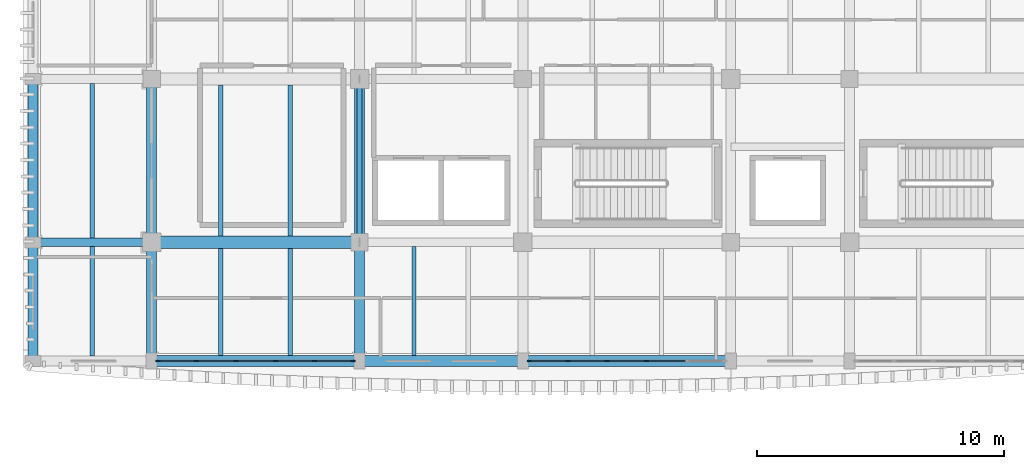
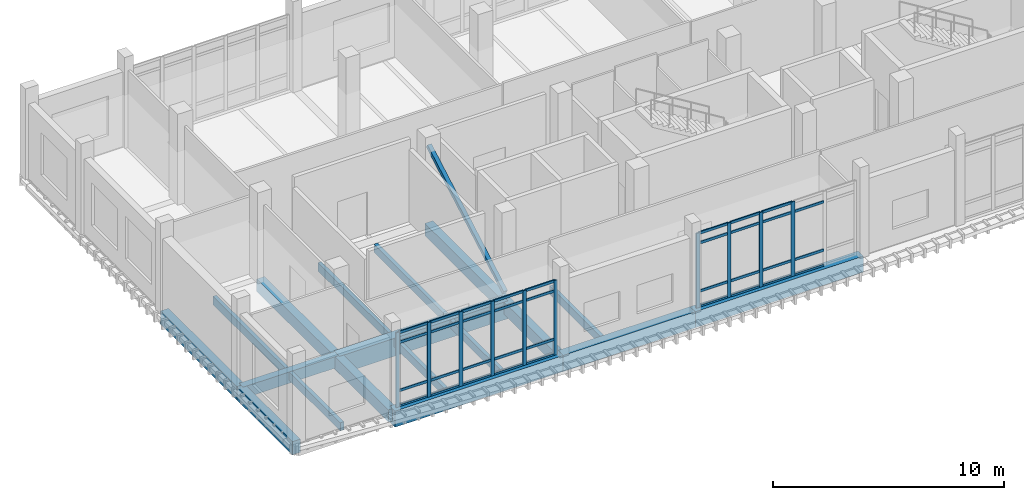
# One storey, part 2 of 37: 46 members, 18 beams, 2 elements without a shape of their own.
"""IFC4 building model written with IfcOpenShell, lengths in metres."""

import ifcopenshell
import ifcopenshell.guid

model = None  # the IFC model being written
_history = None  # IfcOwnerHistory: only IFC2X3 demands one
_inside = {}  # id of a spatial element -> (the spatial element, [elements in it])
_under = {}  # id of a project, library or spatial element -> (it, [spatial elements below it])
_declared = {}  # id of a project -> (the project, [libraries it declares])
_typed = {}  # id of a type object -> (the type object, [elements of that type])
_made_of = {}  # id of a material, layer set ... -> (it, [elements and type objects made of it])


def new_model(schema):
    """Start an empty IFC model of exactly this schema.

    Asked for "IFC4X3", IfcOpenShell would pick the latest addendum, in which some entities
    have other attributes; the version numbers below select the first issue.
    IFC2X3 requires an IfcOwnerHistory on every rooted entity: one is made here for all.
    """
    global model, _history
    if schema == "IFC4X3":
        model = ifcopenshell.file(schema_version=(4, 3, 0, 0))
    else:
        model = ifcopenshell.file(schema=schema)
    _inside.clear()
    _under.clear()
    _declared.clear()
    _typed.clear()
    _made_of.clear()
    _history = None
    if model.schema == "IFC2X3":
        org = make("IfcOrganization", Name="unknown")
        user = make(
            "IfcPersonAndOrganization",
            ThePerson=make("IfcPerson", FamilyName="unknown"),
            TheOrganization=org,
        )
        app = make(
            "IfcApplication",
            ApplicationDeveloper=org,
            Version="unknown",
            ApplicationFullName="unknown",
            ApplicationIdentifier="unknown",
        )
        _history = make(
            "IfcOwnerHistory",
            OwningUser=user,
            OwningApplication=app,
            ChangeAction="ADDED",
            CreationDate=0,
        )
    return model


def make(cls, **values):
    """One entity of the class cls with the attributes given. An attribute that is None is left unset."""
    return model.create_entity(
        cls, **{name: value for name, value in values.items() if value is not None}
    )


def rooted(cls, **values):
    """An entity with a GlobalId (a new one), such as an element, a storey or a relation."""
    return make(cls, GlobalId=ifcopenshell.guid.new(), OwnerHistory=_history, **values)


def si_unit(unit_type, name, prefix=None):
    """IfcSIUnit, for example si_unit("LENGTHUNIT", "METRE", prefix="MILLI")."""
    return make("IfcSIUnit", UnitType=unit_type, Prefix=prefix, Name=name)


def assignment(units):
    """IfcUnitAssignment: the units of a project."""
    return None if units is None else make("IfcUnitAssignment", Units=units)


def point(xyz):
    """IfcCartesianPoint."""
    return None if xyz is None else make("IfcCartesianPoint", Coordinates=xyz)


def direction(xyz):
    """IfcDirection."""
    return None if xyz is None else make("IfcDirection", DirectionRatios=xyz)


def frame(location, z_axis=None, x_axis=None):
    """IfcAxis2Placement3D, a coordinate frame: its origin and axes. An axis left out is left unset."""
    return make(
        "IfcAxis2Placement3D",
        Location=point(location),
        Axis=direction(z_axis),
        RefDirection=direction(x_axis),
    )


def frame_2d(location, x_axis=None):
    """IfcAxis2Placement2D, a coordinate frame in the plane: its origin and x axis."""
    return make(
        "IfcAxis2Placement2D", Location=point(location), RefDirection=direction(x_axis)
    )


def origin():
    """The frame at (0, 0, 0) with its axes left unset."""
    return frame((0.0, 0.0, 0.0))


def origin_2d():
    """The frame at (0, 0) in the plane with its x axis left unset."""
    return frame_2d((0.0, 0.0))


def place(relative_to, where):
    """IfcLocalPlacement: puts the frame where relative to a parent placement (None: the world)."""
    return make(
        "IfcLocalPlacement", PlacementRelTo=relative_to, RelativePlacement=where
    )


def context(
    kind, dimensions, precision=None, world=None, true_north=None, identifier=None
):
    """IfcGeometricRepresentationContext, for example the 3D "Model" context."""
    return make(
        "IfcGeometricRepresentationContext",
        ContextIdentifier=identifier,
        ContextType=kind,
        CoordinateSpaceDimension=dimensions,
        Precision=precision,
        WorldCoordinateSystem=world,
        TrueNorth=true_north,
    )


def subcontext(parent, identifier, kind, view, scale=None):
    """IfcGeometricRepresentationSubContext, for example "Body" below "Model"."""
    return make(
        "IfcGeometricRepresentationSubContext",
        ContextIdentifier=identifier,
        ContextType=kind,
        ParentContext=parent,
        TargetScale=scale,
        TargetView=view,
    )


def project(units=None, contexts=None):
    """IfcProject with its units and contexts."""
    return rooted(
        "IfcProject",
        Name="project",
        RepresentationContexts=contexts,
        UnitsInContext=assignment(units),
    )


def spatial(cls, under=None, at=None, **own):
    """A site, building, storey or space (cls), placed at a placement, below another one or the project."""
    s = rooted(cls, ObjectPlacement=at, **own)
    if under is not None:
        _under.setdefault(under.id(), (under, []))[1].append(s)
    return s


def profile(cls, at=None, kind="AREA", **sizes):
    """A parametric profile (cls). Its sizes go by their IFC names, for example OverallWidth=200.0."""
    return make(cls, ProfileType=kind, Position=at, **sizes)


def rectangle(**sizes):
    """IfcRectangleProfileDef."""
    return profile("IfcRectangleProfileDef", **sizes)


def hollow_rectangle(**sizes):
    """IfcRectangleHollowProfileDef."""
    return profile("IfcRectangleHollowProfileDef", **sizes)


def extrude(swept, where, along, depth):
    """IfcExtrudedAreaSolid: the profile swept, set in the frame where, extruded along a direction by depth."""
    return make(
        "IfcExtrudedAreaSolid",
        SweptArea=swept,
        Position=where,
        ExtrudedDirection=direction(along),
        Depth=depth,
    )


def shape(context_of_items, identifier, shape_type, items):
    """IfcShapeRepresentation: the items that make up one representation, for example the "Body"."""
    return make(
        "IfcShapeRepresentation",
        ContextOfItems=context_of_items,
        RepresentationIdentifier=identifier,
        RepresentationType=shape_type,
        Items=items,
    )


def material(Name=None, Category=None):
    """IfcMaterial."""
    return make("IfcMaterial", Name=Name, Category=Category)


def material_profile(
    of_material, cross_section, Name=None, Category=None, Priority=None
):
    """IfcMaterialProfile: a cross section and its material."""
    return make(
        "IfcMaterialProfile",
        Name=Name,
        Material=of_material,
        Profile=cross_section,
        Priority=Priority,
        Category=Category,
    )


def profile_set(profiles, Name=None, composite=None):
    """IfcMaterialProfileSet."""
    return make(
        "IfcMaterialProfileSet",
        Name=Name,
        MaterialProfiles=profiles,
        CompositeProfile=composite,
    )


def made_of(thing, what):
    """Note that an element or type object is made of a material, layer set ...; save() writes the relation."""
    if what is not None:
        _made_of.setdefault(what.id(), (what, []))[1].append(thing)
    return thing


def type_object(cls, material=None, **own):
    """A type object (cls), such as IfcWallType, which elements share."""
    return made_of(rooted(cls, **own), material)


def element(
    cls,
    number,
    at=None,
    inside=None,
    cuts=None,
    type_object=None,
    material=None,
    context=None,
    identifier="Body",
    shape_type=None,
    held_by="IfcProductDefinitionShape",
    body=None,
    shapes=None,
    **own,
):
    """One element of the class cls, such as IfcWall. Its Tag is "e" and its number.

    at: its placement. inside: the storey or other place that contains it. cuts: it is an
    opening in that element (IfcRelVoidsElement). A single representation is given by context,
    identifier, shape_type and body (its items); several are given by shapes. held_by: the class
    of the entity that holds the representations. save() writes the other relations.
    """
    e = rooted(cls, Tag="e%d" % number, ObjectPlacement=at, **own)
    if body is not None:
        shapes = [shape(context, identifier, shape_type, body)]
    if shapes is not None:
        e.Representation = make(held_by, Representations=shapes)
    if inside is not None:
        _inside.setdefault(inside.id(), (inside, []))[1].append(e)
    if cuts is not None:
        rooted(
            "IfcRelVoidsElement", RelatingBuildingElement=cuts, RelatedOpeningElement=e
        )
    if type_object is not None:
        _typed.setdefault(type_object.id(), (type_object, []))[1].append(e)
    return made_of(e, material)


def aggregate(whole, parts):
    """IfcRelAggregates: a whole, such as a stair, and the parts it consists of."""
    return rooted("IfcRelAggregates", RelatingObject=whole, RelatedObjects=parts)


def save(model, path):
    """Write the relations noted so far, then the file.

    IfcRelAggregates (storeys below a building ...), IfcRelContainedInSpatialStructure (elements
    in a storey), IfcRelDefinesByType, IfcRelAssociatesMaterial and IfcRelDeclares: one each for
    every whole, place, type object, material and project.
    """
    for whole, parts in _under.values():
        aggregate(whole, parts)
    for where, things in _inside.values():
        rooted(
            "IfcRelContainedInSpatialStructure",
            RelatedElements=things,
            RelatingStructure=where,
        )
    for kind, things in _typed.values():
        rooted("IfcRelDefinesByType", RelatedObjects=things, RelatingType=kind)
    for what, things in _made_of.values():
        rooted("IfcRelAssociatesMaterial", RelatedObjects=things, RelatingMaterial=what)
    for by, libraries in _declared.values():
        rooted("IfcRelDeclares", RelatingContext=by, RelatedDefinitions=libraries)
    model.write(path)


model = new_model("IFC4")

# Units and contexts
model_context = context("Model", 3, precision=1e-05, world=origin(), true_north=direction((0.0, 1.0)))
body_context = subcontext(model_context, "Body", "Model", "MODEL_VIEW")
ifc_project = project(units=[si_unit("LENGTHUNIT", "METRE"), si_unit("AREAUNIT", "SQUARE_METRE"), si_unit("VOLUMEUNIT", "CUBIC_METRE"), si_unit("PLANEANGLEUNIT", "RADIAN"), si_unit("MASSUNIT", "GRAM", prefix="KILO")], contexts=[model_context])

# Site, building, storey
site_placement = place(None, origin())
site = spatial("IfcSite", under=ifc_project, at=site_placement, CompositionType="ELEMENT")
building_placement = place(site_placement, origin())
building = spatial("IfcBuilding", under=site, at=building_placement, Name="Dornvale Research Institute", CompositionType="ELEMENT")
storey_placement = place(building_placement, frame((0.0, 0.0, 29.39990234375)))
storey = spatial("IfcBuildingStorey", under=building, at=storey_placement, Name="L06", CompositionType="ELEMENT", Elevation=29.39990234375)

# Beams
ifc_material_1 = material(Name="Concrete f'c 45 MPa (C35/45)", Category="concrete")
ifc_material_profile_1 = material_profile(ifc_material_1, rectangle(XDim=0.35009765625, YDim=0.60009765625, at=origin_2d()), Name="RC 350x600")
ifc_profile_set_1 = profile_set([ifc_material_profile_1], Name="Concrete f'c 45 MPa (C35/45)")
beam_type_1 = type_object("IfcBeamType", Name="Beam_RC350x600_Floor", PredefinedType="BEAM", material=ifc_profile_set_1)
beam_1_placement = place(storey_placement, frame((0.0, 103.800048828125, -0.2998046875), z_axis=(1.0, 0.0, 0.0), x_axis=(0.0, 1.0, 0.0)))
element("IfcBeam", 1, at=beam_1_placement, inside=storey, type_object=beam_type_1, Name="L06 primary girder #1446", PredefinedType="BEAM", context=body_context, shape_type="SweptSolid", body=[
    extrude(rectangle(XDim=0.35009765625, YDim=0.60009765625, at=origin_2d()), origin(), (0.0, 0.0, 1.0), 4.800048828125),
])
ifc_material_2 = material(Name="Concrete f'c 45 MPa (C35/45)", Category="concrete")
ifc_material_profile_2 = material_profile(ifc_material_2, rectangle(XDim=0.39990234375, YDim=0.64990234375, at=origin_2d()), Name="RC 400x650")
ifc_profile_set_2 = profile_set([ifc_material_profile_2], Name="Concrete f'c 45 MPa (C35/45)")
beam_type_2 = type_object("IfcBeamType", Name="Beam_RC400x650_Floor", PredefinedType="BEAM", material=ifc_profile_set_2)
beam_2_placement = place(storey_placement, frame((4.800048828125, 99.0, -0.324951171875), z_axis=(0.0, 1.0, 0.0), x_axis=(-1.0, 0.0, 0.0)))
element("IfcBeam", 2, at=beam_2_placement, inside=storey, type_object=beam_type_2, Name="L06 transverse girder #1474", PredefinedType="BEAM", context=body_context, shape_type="SweptSolid", body=[
    extrude(rectangle(XDim=0.39990234375, YDim=0.64990234375, at=origin_2d()), origin(), (0.0, 0.0, 1.0), 4.800048828125),
])
beam_3_placement = place(storey_placement, frame((4.800048828125, 103.800048828125, -0.324951171875), z_axis=(0.0, 1.0, 0.0), x_axis=(-1.0, 0.0, 0.0)))
element("IfcBeam", 3, at=beam_3_placement, inside=storey, type_object=beam_type_2, Name="L06 transverse girder #1475", PredefinedType="BEAM", context=body_context, shape_type="SweptSolid", body=[
    extrude(rectangle(XDim=0.39990234375, YDim=0.64990234375, at=origin_2d()), origin(), (0.0, 0.0, 1.0), 6.599853515625),
])
beam_4_placement = place(storey_placement, frame((13.199951171875, 99.0, -0.324951171875), z_axis=(0.0, 1.0, 0.0), x_axis=(-1.0, 0.0, 0.0)))
element("IfcBeam", 4, at=beam_4_placement, inside=storey, type_object=beam_type_2, Name="L06 transverse girder #1478", PredefinedType="BEAM", context=body_context, shape_type="SweptSolid", body=[
    extrude(rectangle(XDim=0.39990234375, YDim=0.64990234375, at=origin_2d()), origin(), (0.0, 0.0, 1.0), 4.800048828125),
])
beam_5_placement = place(storey_placement, frame((13.199951171875, 103.800048828125, -0.324951171875), z_axis=(0.0, 1.0, 0.0), x_axis=(-1.0, 0.0, 0.0)))
element("IfcBeam", 5, at=beam_5_placement, inside=storey, type_object=beam_type_2, Name="L06 transverse girder #1479", PredefinedType="BEAM", context=body_context, shape_type="SweptSolid", body=[
    extrude(rectangle(XDim=0.39990234375, YDim=0.64990234375, at=origin_2d()), origin(), (0.0, 0.0, 1.0), 6.599853515625),
])
ifc_material_3 = material(Name="Concrete f'c 45 MPa (C35/45)", Category="concrete")
ifc_material_profile_3 = material_profile(ifc_material_3, rectangle(XDim=0.5, YDim=0.949951171875, at=origin_2d()), Name="RC 500x950")
ifc_profile_set_3 = profile_set([ifc_material_profile_3], Name="Concrete f'c 45 MPa (C35/45)")
beam_type_3 = type_object("IfcBeamType", Name="Beam_RC500x950_Girder", PredefinedType="BEAM", material=ifc_profile_set_3)
beam_6_placement = place(storey_placement, frame((4.800048828125, 103.800048828125, -0.474853515625), z_axis=(1.0, 0.0, 0.0), x_axis=(0.0, 1.0, 0.0)))
element("IfcBeam", 6, at=beam_6_placement, inside=storey, type_object=beam_type_3, Name="L06 primary girder #1447", PredefinedType="BEAM", context=body_context, shape_type="SweptSolid", body=[
    extrude(rectangle(XDim=0.5, YDim=0.949951171875, at=origin_2d()), origin(), (0.0, 0.0, 1.0), 8.39990234375),
])

# Member
ifc_material_4 = material(Name="Steel ASTM A500 Grade C", Category="steel")
ifc_material_profile_4 = material_profile(ifc_material_4, hollow_rectangle(XDim=0.202880859375, YDim=0.202880859375, WallThickness=0.0087890625, at=origin_2d()), Name="HSS203X203X9.5")
ifc_profile_set_4 = profile_set([ifc_material_profile_4], Name="Steel ASTM A500 Grade C")
member_type_1 = type_object("IfcMemberType", Name="Brace_HSS203X203_Int", PredefinedType="BRACE", material=ifc_profile_set_4)
member_1_placement = place(storey_placement, frame((13.199951171875, 103.800048828125, 0.300048828125), z_axis=(0.0, 0.869451847873, 0.494017696272), x_axis=(-1.0, 0.0, 0.0)))
element("IfcMember", 7, at=member_1_placement, inside=storey, type_object=member_type_1, Name="L06 seismic diagonal brace #43", PredefinedType="BRACE", context=body_context, shape_type="SweptSolid", body=[
    extrude(hollow_rectangle(XDim=0.202880859375, YDim=0.202880859375, WallThickness=0.0087890625, at=origin_2d()), origin(), (0.0, 0.0, 1.0), 7.5908203125),
])

# Beams
ifc_material_5 = material(Name="Concrete f'c 45 MPa (C35/45)", Category="concrete")
ifc_material_profile_5 = material_profile(ifc_material_5, rectangle(XDim=0.179931640625, YDim=0.43505859375, at=origin_2d()), Name="RC 180x435")
ifc_profile_set_5 = profile_set([ifc_material_profile_5], Name="Concrete f'c 45 MPa (C35/45)")
beam_type_4 = type_object("IfcBeamType", Name="Joist_RC180x435_Rib", PredefinedType="JOIST", material=ifc_profile_set_5)
beam_7_placement = place(storey_placement, frame((2.39990234375, 99.199951171875, -0.21728515625), z_axis=(0.0, 1.0, 0.0), x_axis=(-1.0, 0.0, 0.0)))
element("IfcBeam", 8, at=beam_7_placement, inside=storey, type_object=beam_type_4, Name="L06 laboratory waffle joist #694", PredefinedType="JOIST", context=body_context, shape_type="SweptSolid", body=[
    extrude(rectangle(XDim=0.179931640625, YDim=0.43505859375, at=origin_2d()), origin(), (0.0, 0.0, 1.0), 4.425048828125),
])
beam_8_placement = place(storey_placement, frame((2.39990234375, 103.97509765625, -0.21728515625), z_axis=(0.0, 1.0, 0.0), x_axis=(-1.0, 0.0, 0.0)))
element("IfcBeam", 9, at=beam_8_placement, inside=storey, type_object=beam_type_4, Name="L06 laboratory waffle joist #695", PredefinedType="JOIST", context=body_context, shape_type="SweptSolid", body=[
    extrude(rectangle(XDim=0.179931640625, YDim=0.43505859375, at=origin_2d()), origin(), (0.0, 0.0, 1.0), 6.25),
])
for number, where, z_axis, x_axis, name in (
    (10, (7.60009765625, 99.22509765625, -0.21728515625), (0.0, 1.0, 0.0), (-1.0, 0.0, 0.0), "L06 laboratory waffle joist #698"),
    (11, (10.39990234375, 99.22509765625, -0.21728515625), (0.0, 1.0, 0.0), (-1.0, 0.0, 0.0), "L06 laboratory waffle joist #699"),
):
    element("IfcBeam", number, at=place(storey_placement, frame(where, z_axis=z_axis, x_axis=x_axis)), inside=storey, type_object=beam_type_4, Name=name, PredefinedType="JOIST", context=body_context, shape_type="SweptSolid", body=[
        extrude(rectangle(XDim=0.179931640625, YDim=0.43505859375, at=origin_2d()), origin(), (0.0, 0.0, 1.0), 4.324951171875),
    ])
for number, where, z_axis, x_axis, name in (
    (12, (7.60009765625, 104.050048828125, -0.21728515625), (0.0, 1.0, 0.0), (-1.0, 0.0, 0.0), "L06 laboratory waffle joist #700"),
    (13, (10.39990234375, 104.050048828125, -0.21728515625), (0.0, 1.0, 0.0), (-1.0, 0.0, 0.0), "L06 laboratory waffle joist #701"),
):
    element("IfcBeam", number, at=place(storey_placement, frame(where, z_axis=z_axis, x_axis=x_axis)), inside=storey, type_object=beam_type_4, Name=name, PredefinedType="JOIST", context=body_context, shape_type="SweptSolid", body=[
        extrude(rectangle(XDim=0.179931640625, YDim=0.43505859375, at=origin_2d()), origin(), (0.0, 0.0, 1.0), 6.099853515625),
    ])
beam_9_placement = place(storey_placement, frame((15.39990234375, 99.22509765625, -0.21728515625), z_axis=(0.0, 1.0, 0.0), x_axis=(-1.0, 0.0, 0.0)))
element("IfcBeam", 14, at=beam_9_placement, inside=storey, type_object=beam_type_4, Name="L06 laboratory waffle joist #706", PredefinedType="JOIST", context=body_context, shape_type="SweptSolid", body=[
    extrude(rectangle(XDim=0.179931640625, YDim=0.43505859375, at=origin_2d()), origin(), (0.0, 0.0, 1.0), 4.39990234375),
])

# Curtain wall, members
ifc_material_6 = material(Name="Low-E Argon Double Insulating Glazing Unit", Category="glass")
curtain_wall_type = type_object("IfcCurtainWallType", Name="UnitisedCurtainWall_V5_7950x3950", PredefinedType="USERDEFINED", material=ifc_material_6)
curtain_wall_1_placement = place(storey_placement, origin())
curtain_wall_1 = element("IfcCurtainWall", 15, at=curtain_wall_1_placement, inside=storey, type_object=curtain_wall_type, Name="L06 V5 unitised curtain wall CW-30 #179", ObjectType="UNITISED CURTAIN WALL", PredefinedType="USERDEFINED")
ifc_material_7 = material(Name="Anodized Aluminum AA 6063-T6 Thermally Broken Frame", Category="aluminium")
ifc_material_profile_6 = material_profile(ifc_material_7, rectangle(XDim=0.06494140625, YDim=0.179931640625, at=origin_2d()), Name="ALU MULLION 65x180")
ifc_profile_set_6 = profile_set([ifc_material_profile_6], Name="Anodized Aluminum AA 6063-T6 Thermally Broken Frame")
member_type_2 = type_object("IfcMemberType", Name="Mullion_CW_65x180", PredefinedType="MULLION", material=ifc_profile_set_6)
member_2_placement = place(storey_placement, frame((24.794921875, 99.0, 0.0), z_axis=(0.0, 0.0, 1.0), x_axis=(0.0, -1.0, 0.0)))
member_2 = element("IfcMember", 16, at=member_2_placement, type_object=member_type_2, Name="CW-30 mullion 3", PredefinedType="MULLION", context=body_context, shape_type="SweptSolid", body=[
    extrude(rectangle(XDim=0.06494140625, YDim=0.179931640625, at=origin_2d()), origin(), (0.0, 0.0, 1.0), 3.9501953125),
])
member_3_placement = place(storey_placement, frame((23.205078125, 99.0, 0.0), z_axis=(0.0, 0.0, 1.0), x_axis=(0.0, -1.0, 0.0)))
member_3 = element("IfcMember", 17, at=member_3_placement, type_object=member_type_2, Name="CW-30 mullion 4", PredefinedType="MULLION", context=body_context, shape_type="SweptSolid", body=[
    extrude(rectangle(XDim=0.06494140625, YDim=0.179931640625, at=origin_2d()), origin(), (0.0, 0.0, 1.0), 3.9501953125),
])
member_4_placement = place(storey_placement, frame((21.614990234375, 99.0, 0.0), z_axis=(0.0, 0.0, 1.0), x_axis=(0.0, -1.0, 0.0)))
member_4 = element("IfcMember", 18, at=member_4_placement, type_object=member_type_2, Name="CW-30 mullion 5", PredefinedType="MULLION", context=body_context, shape_type="SweptSolid", body=[
    extrude(rectangle(XDim=0.06494140625, YDim=0.179931640625, at=origin_2d()), origin(), (0.0, 0.0, 1.0), 3.9501953125),
])
member_5_placement = place(storey_placement, frame((20.0576171875, 99.0, 0.0), z_axis=(0.0, 0.0, 1.0), x_axis=(0.0, -1.0, 0.0)))
member_5 = element("IfcMember", 19, at=member_5_placement, type_object=member_type_2, Name="CW-30 mullion 6", PredefinedType="MULLION", context=body_context, shape_type="SweptSolid", body=[
    extrude(rectangle(XDim=0.06494140625, YDim=0.179931640625, at=origin_2d()), origin(), (0.0, 0.0, 1.0), 3.9501953125),
])

curtain_wall_2_placement = place(storey_placement, origin())
curtain_wall_2 = element("IfcCurtainWall", 20, at=curtain_wall_2_placement, inside=storey, type_object=curtain_wall_type, Name="L06 V5 unitised curtain wall CW-30 #180", ObjectType="UNITISED CURTAIN WALL", PredefinedType="USERDEFINED")
member_6_placement = place(storey_placement, frame((12.9423828125, 99.0, 0.0), z_axis=(0.0, 0.0, 1.0), x_axis=(0.0, -1.0, 0.0)))
member_6 = element("IfcMember", 21, at=member_6_placement, type_object=member_type_2, Name="CW-30 mullion 1", PredefinedType="MULLION", context=body_context, shape_type="SweptSolid", body=[
    extrude(rectangle(XDim=0.06494140625, YDim=0.179931640625, at=origin_2d()), origin(), (0.0, 0.0, 1.0), 3.9501953125),
])
member_7_placement = place(storey_placement, frame((11.385009765625, 99.0, 0.0), z_axis=(0.0, 0.0, 1.0), x_axis=(0.0, -1.0, 0.0)))
member_7 = element("IfcMember", 22, at=member_7_placement, type_object=member_type_2, Name="CW-30 mullion 2", PredefinedType="MULLION", context=body_context, shape_type="SweptSolid", body=[
    extrude(rectangle(XDim=0.06494140625, YDim=0.179931640625, at=origin_2d()), origin(), (0.0, 0.0, 1.0), 3.9501953125),
])
member_8_placement = place(storey_placement, frame((9.794921875, 99.0, 0.0), z_axis=(0.0, 0.0, 1.0), x_axis=(0.0, -1.0, 0.0)))
member_8 = element("IfcMember", 23, at=member_8_placement, type_object=member_type_2, Name="CW-30 mullion 3", PredefinedType="MULLION", context=body_context, shape_type="SweptSolid", body=[
    extrude(rectangle(XDim=0.06494140625, YDim=0.179931640625, at=origin_2d()), origin(), (0.0, 0.0, 1.0), 3.9501953125),
])
member_9_placement = place(storey_placement, frame((8.205078125, 99.0, 0.0), z_axis=(0.0, 0.0, 1.0), x_axis=(0.0, -1.0, 0.0)))
member_9 = element("IfcMember", 24, at=member_9_placement, type_object=member_type_2, Name="CW-30 mullion 4", PredefinedType="MULLION", context=body_context, shape_type="SweptSolid", body=[
    extrude(rectangle(XDim=0.06494140625, YDim=0.179931640625, at=origin_2d()), origin(), (0.0, 0.0, 1.0), 3.9501953125),
])
member_10_placement = place(storey_placement, frame((6.614990234375, 99.0, 0.0), z_axis=(0.0, 0.0, 1.0), x_axis=(0.0, -1.0, 0.0)))
member_10 = element("IfcMember", 25, at=member_10_placement, type_object=member_type_2, Name="CW-30 mullion 5", PredefinedType="MULLION", context=body_context, shape_type="SweptSolid", body=[
    extrude(rectangle(XDim=0.06494140625, YDim=0.179931640625, at=origin_2d()), origin(), (0.0, 0.0, 1.0), 3.9501953125),
])
member_11_placement = place(storey_placement, frame((5.0576171875, 99.0, 0.0), z_axis=(0.0, 0.0, 1.0), x_axis=(0.0, -1.0, 0.0)))
member_11 = element("IfcMember", 26, at=member_11_placement, type_object=member_type_2, Name="CW-30 mullion 6", PredefinedType="MULLION", context=body_context, shape_type="SweptSolid", body=[
    extrude(rectangle(XDim=0.06494140625, YDim=0.179931640625, at=origin_2d()), origin(), (0.0, 0.0, 1.0), 3.9501953125),
])

# Beams
ifc_material_8 = material(Name="Concrete f'c 45 MPa (C35/45)", Category="concrete")
ifc_material_profile_7 = material_profile(ifc_material_8, rectangle(XDim=0.39990234375, YDim=0.699951171875, at=origin_2d()), Name="RC 400x700")
ifc_profile_set_7 = profile_set([ifc_material_profile_7], Name="Concrete f'c 45 MPa (C35/45)")
beam_type_5 = type_object("IfcBeamType", Name="Spandrel_RC400x700_Ext", PredefinedType="SPANDREL", material=ifc_profile_set_7)
beam_10_placement = place(storey_placement, frame((0.0, 99.0, -0.349853515625), z_axis=(0.0, 1.0, 0.0), x_axis=(-1.0, 0.0, 0.0)))
element("IfcBeam", 27, at=beam_10_placement, inside=storey, type_object=beam_type_5, Name="L06 perimeter spandrel #1470", PredefinedType="SPANDREL", context=body_context, shape_type="SweptSolid", body=[
    extrude(rectangle(XDim=0.39990234375, YDim=0.699951171875, at=origin_2d()), origin(), (0.0, 0.0, 1.0), 4.800048828125),
])
beam_11_placement = place(storey_placement, frame((0.0, 103.800048828125, -0.349853515625), z_axis=(0.0, 1.0, 0.0), x_axis=(-1.0, 0.0, 0.0)))
element("IfcBeam", 28, at=beam_11_placement, inside=storey, type_object=beam_type_5, Name="L06 perimeter spandrel #1471", PredefinedType="SPANDREL", context=body_context, shape_type="SweptSolid", body=[
    extrude(rectangle(XDim=0.39990234375, YDim=0.699951171875, at=origin_2d()), origin(), (0.0, 0.0, 1.0), 6.599853515625),
])
ifc_material_9 = material(Name="Concrete f'c 45 MPa (C35/45)", Category="concrete")
ifc_material_profile_8 = material_profile(ifc_material_9, rectangle(XDim=0.449951171875, YDim=0.85009765625, at=origin_2d()), Name="RC 450x850")
ifc_profile_set_8 = profile_set([ifc_material_profile_8], Name="Concrete f'c 45 MPa (C35/45)")
beam_type_6 = type_object("IfcBeamType", Name="Spandrel_RC450x850_Ext", PredefinedType="SPANDREL", material=ifc_profile_set_8)
beam_12_placement = place(storey_placement, frame((4.800048828125, 99.0, -0.4248046875), z_axis=(1.0, 0.0, 0.0), x_axis=(0.0, 1.0, 0.0)))
element("IfcBeam", 29, at=beam_12_placement, inside=storey, type_object=beam_type_6, Name="L06 perimeter spandrel #1441", PredefinedType="SPANDREL", context=body_context, shape_type="SweptSolid", body=[
    extrude(rectangle(XDim=0.449951171875, YDim=0.85009765625, at=origin_2d()), origin(), (0.0, 0.0, 1.0), 8.39990234375),
])
beam_13_placement = place(storey_placement, frame((13.199951171875, 99.0, -0.4248046875), z_axis=(1.0, 0.0, 0.0), x_axis=(0.0, 1.0, 0.0)))
element("IfcBeam", 30, at=beam_13_placement, inside=storey, type_object=beam_type_6, Name="L06 perimeter spandrel #1442", PredefinedType="SPANDREL", context=body_context, shape_type="SweptSolid", body=[
    extrude(rectangle(XDim=0.449951171875, YDim=0.85009765625, at=origin_2d()), origin(), (0.0, 0.0, 1.0), 6.60009765625),
])
beam_14_placement = place(storey_placement, frame((19.800048828125, 99.0, -0.4248046875), z_axis=(1.0, 0.0, 0.0), x_axis=(0.0, 1.0, 0.0)))
element("IfcBeam", 31, at=beam_14_placement, inside=storey, type_object=beam_type_6, Name="L06 perimeter spandrel #1443", PredefinedType="SPANDREL", context=body_context, shape_type="SweptSolid", body=[
    extrude(rectangle(XDim=0.449951171875, YDim=0.85009765625, at=origin_2d()), origin(), (0.0, 0.0, 1.0), 8.39990234375),
])

# Member
ifc_material_10 = material(Name="Anodized Aluminum AA 6063-T6 Thermally Broken Frame", Category="aluminium")
ifc_material_profile_9 = material_profile(ifc_material_10, rectangle(XDim=0.06494140625, YDim=0.135009765625, at=origin_2d()), Name="ALU TRANSOM 65x135")
ifc_profile_set_9 = profile_set([ifc_material_profile_9], Name="Anodized Aluminum AA 6063-T6 Thermally Broken Frame")
member_type_3 = type_object("IfcMemberType", Name="Transom_CW_65x135", PredefinedType="USERDEFINED", material=ifc_profile_set_9)
member_12_placement = place(storey_placement, frame((26.3525390625, 99.0, 0.03271484375), z_axis=(-1.0, 0.0, 0.0), x_axis=(0.0, -1.0, 0.0)))
member_12 = element("IfcMember", 32, at=member_12_placement, type_object=member_type_3, Name="CW-30 transom 2.1", ObjectType="TRANSOM", PredefinedType="USERDEFINED", context=body_context, shape_type="SweptSolid", body=[
    extrude(rectangle(XDim=0.06494140625, YDim=0.135009765625, at=origin_2d()), origin(), (0.0, 0.0, 1.0), 1.525146484375),
])

member_13_placement = place(storey_placement, frame((26.3525390625, 99.0, 0.85009765625), z_axis=(-1.0, 0.0, 0.0), x_axis=(0.0, -1.0, 0.0)))
member_13 = element("IfcMember", 33, at=member_13_placement, type_object=member_type_3, Name="CW-30 transom 2.2", ObjectType="TRANSOM", PredefinedType="USERDEFINED", context=body_context, shape_type="SweptSolid", body=[
    extrude(rectangle(XDim=0.06494140625, YDim=0.135009765625, at=origin_2d()), origin(), (0.0, 0.0, 1.0), 1.525146484375),
])

member_14_placement = place(storey_placement, frame((26.3525390625, 99.0, 3.400146484375), z_axis=(-1.0, 0.0, 0.0), x_axis=(0.0, -1.0, 0.0)))
member_14 = element("IfcMember", 34, at=member_14_placement, type_object=member_type_3, Name="CW-30 transom 2.3", ObjectType="TRANSOM", PredefinedType="USERDEFINED", context=body_context, shape_type="SweptSolid", body=[
    extrude(rectangle(XDim=0.06494140625, YDim=0.135009765625, at=origin_2d()), origin(), (0.0, 0.0, 1.0), 1.525146484375),
])

member_15_placement = place(storey_placement, frame((24.762451171875, 99.0, 0.03271484375), z_axis=(-1.0, 0.0, 0.0), x_axis=(0.0, -1.0, 0.0)))
member_15 = element("IfcMember", 35, at=member_15_placement, type_object=member_type_3, Name="CW-30 transom 3.1", ObjectType="TRANSOM", PredefinedType="USERDEFINED", context=body_context, shape_type="SweptSolid", body=[
    extrude(rectangle(XDim=0.06494140625, YDim=0.135009765625, at=origin_2d()), origin(), (0.0, 0.0, 1.0), 1.52490234375),
])

member_16_placement = place(storey_placement, frame((24.762451171875, 99.0, 0.85009765625), z_axis=(-1.0, 0.0, 0.0), x_axis=(0.0, -1.0, 0.0)))
member_16 = element("IfcMember", 36, at=member_16_placement, type_object=member_type_3, Name="CW-30 transom 3.2", ObjectType="TRANSOM", PredefinedType="USERDEFINED", context=body_context, shape_type="SweptSolid", body=[
    extrude(rectangle(XDim=0.06494140625, YDim=0.135009765625, at=origin_2d()), origin(), (0.0, 0.0, 1.0), 1.52490234375),
])

member_17_placement = place(storey_placement, frame((24.762451171875, 99.0, 3.400146484375), z_axis=(-1.0, 0.0, 0.0), x_axis=(0.0, -1.0, 0.0)))
member_17 = element("IfcMember", 37, at=member_17_placement, type_object=member_type_3, Name="CW-30 transom 3.3", ObjectType="TRANSOM", PredefinedType="USERDEFINED", context=body_context, shape_type="SweptSolid", body=[
    extrude(rectangle(XDim=0.06494140625, YDim=0.135009765625, at=origin_2d()), origin(), (0.0, 0.0, 1.0), 1.52490234375),
])

member_18_placement = place(storey_placement, frame((24.762451171875, 99.0, 3.91748046875), z_axis=(-1.0, 0.0, 0.0), x_axis=(0.0, -1.0, 0.0)))
member_18 = element("IfcMember", 38, at=member_18_placement, type_object=member_type_3, Name="CW-30 transom 3.4", ObjectType="TRANSOM", PredefinedType="USERDEFINED", context=body_context, shape_type="SweptSolid", body=[
    extrude(rectangle(XDim=0.06494140625, YDim=0.135009765625, at=origin_2d()), origin(), (0.0, 0.0, 1.0), 1.52490234375),
])

member_19_placement = place(storey_placement, frame((23.172607421875, 99.0, 0.03271484375), z_axis=(-1.0, 0.0, 0.0), x_axis=(0.0, -1.0, 0.0)))
member_19 = element("IfcMember", 39, at=member_19_placement, type_object=member_type_3, Name="CW-30 transom 4.1", ObjectType="TRANSOM", PredefinedType="USERDEFINED", context=body_context, shape_type="SweptSolid", body=[
    extrude(rectangle(XDim=0.06494140625, YDim=0.135009765625, at=origin_2d()), origin(), (0.0, 0.0, 1.0), 1.525146484375),
])

member_20_placement = place(storey_placement, frame((23.172607421875, 99.0, 0.85009765625), z_axis=(-1.0, 0.0, 0.0), x_axis=(0.0, -1.0, 0.0)))
member_20 = element("IfcMember", 40, at=member_20_placement, type_object=member_type_3, Name="CW-30 transom 4.2", ObjectType="TRANSOM", PredefinedType="USERDEFINED", context=body_context, shape_type="SweptSolid", body=[
    extrude(rectangle(XDim=0.06494140625, YDim=0.135009765625, at=origin_2d()), origin(), (0.0, 0.0, 1.0), 1.525146484375),
])

member_21_placement = place(storey_placement, frame((23.172607421875, 99.0, 3.400146484375), z_axis=(-1.0, 0.0, 0.0), x_axis=(0.0, -1.0, 0.0)))
member_21 = element("IfcMember", 41, at=member_21_placement, type_object=member_type_3, Name="CW-30 transom 4.3", ObjectType="TRANSOM", PredefinedType="USERDEFINED", context=body_context, shape_type="SweptSolid", body=[
    extrude(rectangle(XDim=0.06494140625, YDim=0.135009765625, at=origin_2d()), origin(), (0.0, 0.0, 1.0), 1.525146484375),
])

member_22_placement = place(storey_placement, frame((23.172607421875, 99.0, 3.91748046875), z_axis=(-1.0, 0.0, 0.0), x_axis=(0.0, -1.0, 0.0)))
member_22 = element("IfcMember", 42, at=member_22_placement, type_object=member_type_3, Name="CW-30 transom 4.4", ObjectType="TRANSOM", PredefinedType="USERDEFINED", context=body_context, shape_type="SweptSolid", body=[
    extrude(rectangle(XDim=0.06494140625, YDim=0.135009765625, at=origin_2d()), origin(), (0.0, 0.0, 1.0), 1.525146484375),
])

member_23_placement = place(storey_placement, frame((21.58251953125, 99.0, 0.03271484375), z_axis=(-1.0, 0.0, 0.0), x_axis=(0.0, -1.0, 0.0)))
member_23 = element("IfcMember", 43, at=member_23_placement, type_object=member_type_3, Name="CW-30 transom 5.1", ObjectType="TRANSOM", PredefinedType="USERDEFINED", context=body_context, shape_type="SweptSolid", body=[
    extrude(rectangle(XDim=0.06494140625, YDim=0.135009765625, at=origin_2d()), origin(), (0.0, 0.0, 1.0), 1.492431640625),
])

member_24_placement = place(storey_placement, frame((21.58251953125, 99.0, 0.85009765625), z_axis=(-1.0, 0.0, 0.0), x_axis=(0.0, -1.0, 0.0)))
member_24 = element("IfcMember", 44, at=member_24_placement, type_object=member_type_3, Name="CW-30 transom 5.2", ObjectType="TRANSOM", PredefinedType="USERDEFINED", context=body_context, shape_type="SweptSolid", body=[
    extrude(rectangle(XDim=0.06494140625, YDim=0.135009765625, at=origin_2d()), origin(), (0.0, 0.0, 1.0), 1.492431640625),
])

member_25_placement = place(storey_placement, frame((21.58251953125, 99.0, 3.400146484375), z_axis=(-1.0, 0.0, 0.0), x_axis=(0.0, -1.0, 0.0)))
member_25 = element("IfcMember", 45, at=member_25_placement, type_object=member_type_3, Name="CW-30 transom 5.3", ObjectType="TRANSOM", PredefinedType="USERDEFINED", context=body_context, shape_type="SweptSolid", body=[
    extrude(rectangle(XDim=0.06494140625, YDim=0.135009765625, at=origin_2d()), origin(), (0.0, 0.0, 1.0), 1.492431640625),
])

member_26_placement = place(storey_placement, frame((21.58251953125, 99.0, 3.91748046875), z_axis=(-1.0, 0.0, 0.0), x_axis=(0.0, -1.0, 0.0)))
member_26 = element("IfcMember", 46, at=member_26_placement, type_object=member_type_3, Name="CW-30 transom 5.4", ObjectType="TRANSOM", PredefinedType="USERDEFINED", context=body_context, shape_type="SweptSolid", body=[
    extrude(rectangle(XDim=0.06494140625, YDim=0.135009765625, at=origin_2d()), origin(), (0.0, 0.0, 1.0), 1.492431640625),
])

aggregate(curtain_wall_1, [member_2, member_3, member_4, member_5, member_12, member_13, member_14, member_15, member_16, member_17, member_18, member_19, member_20, member_21, member_22, member_23, member_24, member_25, member_26])

member_27_placement = place(storey_placement, frame((12.909912109375, 99.0, 0.03271484375), z_axis=(-1.0, 0.0, 0.0), x_axis=(0.0, -1.0, 0.0)))
member_27 = element("IfcMember", 47, at=member_27_placement, type_object=member_type_3, Name="CW-30 transom 1.1", ObjectType="TRANSOM", PredefinedType="USERDEFINED", context=body_context, shape_type="SweptSolid", body=[
    extrude(rectangle(XDim=0.06494140625, YDim=0.135009765625, at=origin_2d()), origin(), (0.0, 0.0, 1.0), 1.492431640625),
])

member_28_placement = place(storey_placement, frame((12.909912109375, 99.0, 0.85009765625), z_axis=(-1.0, 0.0, 0.0), x_axis=(0.0, -1.0, 0.0)))
member_28 = element("IfcMember", 48, at=member_28_placement, type_object=member_type_3, Name="CW-30 transom 1.2", ObjectType="TRANSOM", PredefinedType="USERDEFINED", context=body_context, shape_type="SweptSolid", body=[
    extrude(rectangle(XDim=0.06494140625, YDim=0.135009765625, at=origin_2d()), origin(), (0.0, 0.0, 1.0), 1.492431640625),
])

member_29_placement = place(storey_placement, frame((12.909912109375, 99.0, 3.400146484375), z_axis=(-1.0, 0.0, 0.0), x_axis=(0.0, -1.0, 0.0)))
member_29 = element("IfcMember", 49, at=member_29_placement, type_object=member_type_3, Name="CW-30 transom 1.3", ObjectType="TRANSOM", PredefinedType="USERDEFINED", context=body_context, shape_type="SweptSolid", body=[
    extrude(rectangle(XDim=0.06494140625, YDim=0.135009765625, at=origin_2d()), origin(), (0.0, 0.0, 1.0), 1.492431640625),
])

member_30_placement = place(storey_placement, frame((12.909912109375, 99.0, 3.91748046875), z_axis=(-1.0, 0.0, 0.0), x_axis=(0.0, -1.0, 0.0)))
member_30 = element("IfcMember", 50, at=member_30_placement, type_object=member_type_3, Name="CW-30 transom 1.4", ObjectType="TRANSOM", PredefinedType="USERDEFINED", context=body_context, shape_type="SweptSolid", body=[
    extrude(rectangle(XDim=0.06494140625, YDim=0.135009765625, at=origin_2d()), origin(), (0.0, 0.0, 1.0), 1.492431640625),
])

member_31_placement = place(storey_placement, frame((11.3525390625, 99.0, 0.03271484375), z_axis=(-1.0, 0.0, 0.0), x_axis=(0.0, -1.0, 0.0)))
member_31 = element("IfcMember", 51, at=member_31_placement, type_object=member_type_3, Name="CW-30 transom 2.1", ObjectType="TRANSOM", PredefinedType="USERDEFINED", context=body_context, shape_type="SweptSolid", body=[
    extrude(rectangle(XDim=0.06494140625, YDim=0.135009765625, at=origin_2d()), origin(), (0.0, 0.0, 1.0), 1.525146484375),
])

member_32_placement = place(storey_placement, frame((11.3525390625, 99.0, 0.85009765625), z_axis=(-1.0, 0.0, 0.0), x_axis=(0.0, -1.0, 0.0)))
member_32 = element("IfcMember", 52, at=member_32_placement, type_object=member_type_3, Name="CW-30 transom 2.2", ObjectType="TRANSOM", PredefinedType="USERDEFINED", context=body_context, shape_type="SweptSolid", body=[
    extrude(rectangle(XDim=0.06494140625, YDim=0.135009765625, at=origin_2d()), origin(), (0.0, 0.0, 1.0), 1.525146484375),
])

member_33_placement = place(storey_placement, frame((11.3525390625, 99.0, 3.400146484375), z_axis=(-1.0, 0.0, 0.0), x_axis=(0.0, -1.0, 0.0)))
member_33 = element("IfcMember", 53, at=member_33_placement, type_object=member_type_3, Name="CW-30 transom 2.3", ObjectType="TRANSOM", PredefinedType="USERDEFINED", context=body_context, shape_type="SweptSolid", body=[
    extrude(rectangle(XDim=0.06494140625, YDim=0.135009765625, at=origin_2d()), origin(), (0.0, 0.0, 1.0), 1.525146484375),
])

member_34_placement = place(storey_placement, frame((11.3525390625, 99.0, 3.91748046875), z_axis=(-1.0, 0.0, 0.0), x_axis=(0.0, -1.0, 0.0)))
member_34 = element("IfcMember", 54, at=member_34_placement, type_object=member_type_3, Name="CW-30 transom 2.4", ObjectType="TRANSOM", PredefinedType="USERDEFINED", context=body_context, shape_type="SweptSolid", body=[
    extrude(rectangle(XDim=0.06494140625, YDim=0.135009765625, at=origin_2d()), origin(), (0.0, 0.0, 1.0), 1.525146484375),
])

member_35_placement = place(storey_placement, frame((9.762451171875, 99.0, 0.03271484375), z_axis=(-1.0, 0.0, 0.0), x_axis=(0.0, -1.0, 0.0)))
member_35 = element("IfcMember", 55, at=member_35_placement, type_object=member_type_3, Name="CW-30 transom 3.1", ObjectType="TRANSOM", PredefinedType="USERDEFINED", context=body_context, shape_type="SweptSolid", body=[
    extrude(rectangle(XDim=0.06494140625, YDim=0.135009765625, at=origin_2d()), origin(), (0.0, 0.0, 1.0), 1.52490234375),
])

member_36_placement = place(storey_placement, frame((9.762451171875, 99.0, 0.85009765625), z_axis=(-1.0, 0.0, 0.0), x_axis=(0.0, -1.0, 0.0)))
member_36 = element("IfcMember", 56, at=member_36_placement, type_object=member_type_3, Name="CW-30 transom 3.2", ObjectType="TRANSOM", PredefinedType="USERDEFINED", context=body_context, shape_type="SweptSolid", body=[
    extrude(rectangle(XDim=0.06494140625, YDim=0.135009765625, at=origin_2d()), origin(), (0.0, 0.0, 1.0), 1.52490234375),
])

member_37_placement = place(storey_placement, frame((9.762451171875, 99.0, 3.400146484375), z_axis=(-1.0, 0.0, 0.0), x_axis=(0.0, -1.0, 0.0)))
member_37 = element("IfcMember", 57, at=member_37_placement, type_object=member_type_3, Name="CW-30 transom 3.3", ObjectType="TRANSOM", PredefinedType="USERDEFINED", context=body_context, shape_type="SweptSolid", body=[
    extrude(rectangle(XDim=0.06494140625, YDim=0.135009765625, at=origin_2d()), origin(), (0.0, 0.0, 1.0), 1.52490234375),
])

member_38_placement = place(storey_placement, frame((9.762451171875, 99.0, 3.91748046875), z_axis=(-1.0, 0.0, 0.0), x_axis=(0.0, -1.0, 0.0)))
member_38 = element("IfcMember", 58, at=member_38_placement, type_object=member_type_3, Name="CW-30 transom 3.4", ObjectType="TRANSOM", PredefinedType="USERDEFINED", context=body_context, shape_type="SweptSolid", body=[
    extrude(rectangle(XDim=0.06494140625, YDim=0.135009765625, at=origin_2d()), origin(), (0.0, 0.0, 1.0), 1.52490234375),
])

member_39_placement = place(storey_placement, frame((8.172607421875, 99.0, 0.03271484375), z_axis=(-1.0, 0.0, 0.0), x_axis=(0.0, -1.0, 0.0)))
member_39 = element("IfcMember", 59, at=member_39_placement, type_object=member_type_3, Name="CW-30 transom 4.1", ObjectType="TRANSOM", PredefinedType="USERDEFINED", context=body_context, shape_type="SweptSolid", body=[
    extrude(rectangle(XDim=0.06494140625, YDim=0.135009765625, at=origin_2d()), origin(), (0.0, 0.0, 1.0), 1.525146484375),
])

member_40_placement = place(storey_placement, frame((8.172607421875, 99.0, 0.85009765625), z_axis=(-1.0, 0.0, 0.0), x_axis=(0.0, -1.0, 0.0)))
member_40 = element("IfcMember", 60, at=member_40_placement, type_object=member_type_3, Name="CW-30 transom 4.2", ObjectType="TRANSOM", PredefinedType="USERDEFINED", context=body_context, shape_type="SweptSolid", body=[
    extrude(rectangle(XDim=0.06494140625, YDim=0.135009765625, at=origin_2d()), origin(), (0.0, 0.0, 1.0), 1.525146484375),
])

member_41_placement = place(storey_placement, frame((8.172607421875, 99.0, 3.400146484375), z_axis=(-1.0, 0.0, 0.0), x_axis=(0.0, -1.0, 0.0)))
member_41 = element("IfcMember", 61, at=member_41_placement, type_object=member_type_3, Name="CW-30 transom 4.3", ObjectType="TRANSOM", PredefinedType="USERDEFINED", context=body_context, shape_type="SweptSolid", body=[
    extrude(rectangle(XDim=0.06494140625, YDim=0.135009765625, at=origin_2d()), origin(), (0.0, 0.0, 1.0), 1.525146484375),
])

member_42_placement = place(storey_placement, frame((8.172607421875, 99.0, 3.91748046875), z_axis=(-1.0, 0.0, 0.0), x_axis=(0.0, -1.0, 0.0)))
member_42 = element("IfcMember", 62, at=member_42_placement, type_object=member_type_3, Name="CW-30 transom 4.4", ObjectType="TRANSOM", PredefinedType="USERDEFINED", context=body_context, shape_type="SweptSolid", body=[
    extrude(rectangle(XDim=0.06494140625, YDim=0.135009765625, at=origin_2d()), origin(), (0.0, 0.0, 1.0), 1.525146484375),
])

member_43_placement = place(storey_placement, frame((6.58251953125, 99.0, 0.03271484375), z_axis=(-1.0, 0.0, 0.0), x_axis=(0.0, -1.0, 0.0)))
member_43 = element("IfcMember", 63, at=member_43_placement, type_object=member_type_3, Name="CW-30 transom 5.1", ObjectType="TRANSOM", PredefinedType="USERDEFINED", context=body_context, shape_type="SweptSolid", body=[
    extrude(rectangle(XDim=0.06494140625, YDim=0.135009765625, at=origin_2d()), origin(), (0.0, 0.0, 1.0), 1.492431640625),
])

member_44_placement = place(storey_placement, frame((6.58251953125, 99.0, 0.85009765625), z_axis=(-1.0, 0.0, 0.0), x_axis=(0.0, -1.0, 0.0)))
member_44 = element("IfcMember", 64, at=member_44_placement, type_object=member_type_3, Name="CW-30 transom 5.2", ObjectType="TRANSOM", PredefinedType="USERDEFINED", context=body_context, shape_type="SweptSolid", body=[
    extrude(rectangle(XDim=0.06494140625, YDim=0.135009765625, at=origin_2d()), origin(), (0.0, 0.0, 1.0), 1.492431640625),
])

member_45_placement = place(storey_placement, frame((6.58251953125, 99.0, 3.400146484375), z_axis=(-1.0, 0.0, 0.0), x_axis=(0.0, -1.0, 0.0)))
member_45 = element("IfcMember", 65, at=member_45_placement, type_object=member_type_3, Name="CW-30 transom 5.3", ObjectType="TRANSOM", PredefinedType="USERDEFINED", context=body_context, shape_type="SweptSolid", body=[
    extrude(rectangle(XDim=0.06494140625, YDim=0.135009765625, at=origin_2d()), origin(), (0.0, 0.0, 1.0), 1.492431640625),
])

member_46_placement = place(storey_placement, frame((6.58251953125, 99.0, 3.91748046875), z_axis=(-1.0, 0.0, 0.0), x_axis=(0.0, -1.0, 0.0)))
member_46 = element("IfcMember", 66, at=member_46_placement, type_object=member_type_3, Name="CW-30 transom 5.4", ObjectType="TRANSOM", PredefinedType="USERDEFINED", context=body_context, shape_type="SweptSolid", body=[
    extrude(rectangle(XDim=0.06494140625, YDim=0.135009765625, at=origin_2d()), origin(), (0.0, 0.0, 1.0), 1.492431640625),
])

aggregate(curtain_wall_2, [member_6, member_7, member_8, member_9, member_10, member_11, member_27, member_28, member_29, member_30, member_31, member_32, member_33, member_34, member_35, member_36, member_37, member_38, member_39, member_40, member_41, member_42, member_43, member_44, member_45, member_46])

save(model, "model.ifc")
